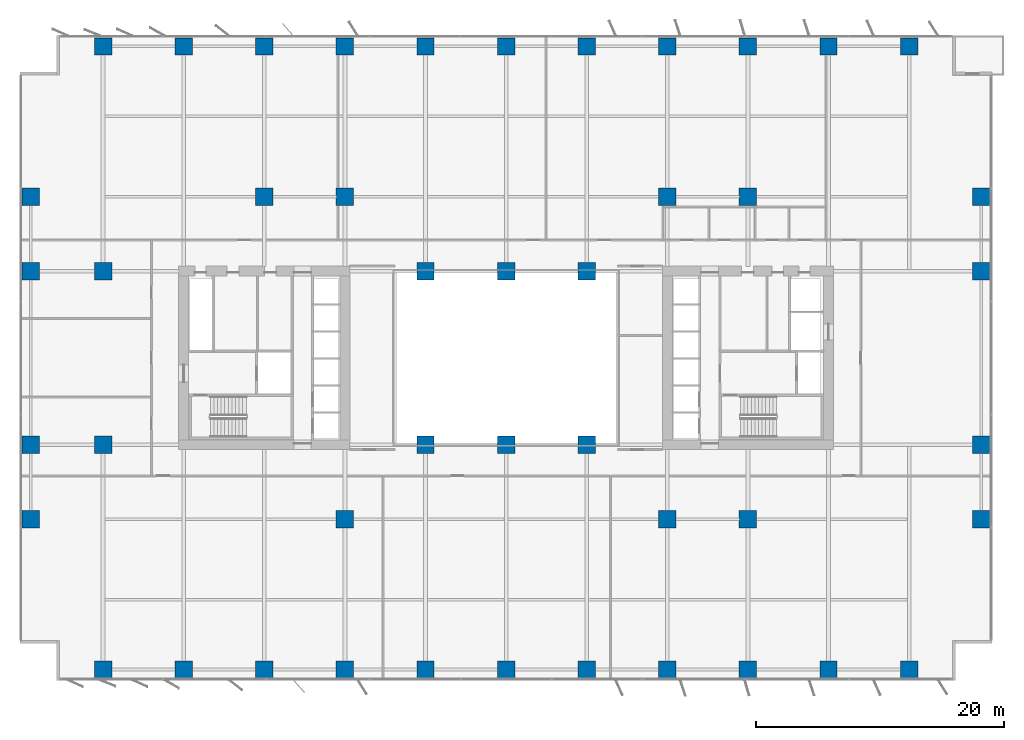
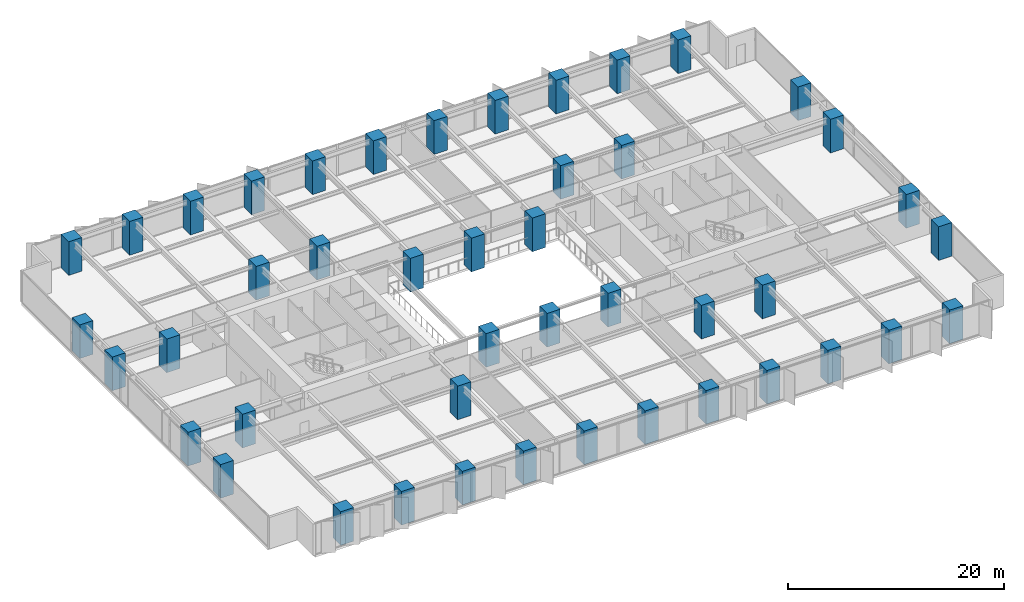
# One storey, part 1 of 20: 45 columns.
"""IFC4 building model written with IfcOpenShell, lengths in metres."""

from ifc_helpers import new_model, si_unit, direction, frame, origin, origin_2d, place, context, subcontext, project, spatial, rectangle, extrude, material, material_profile, profile_set, type_object, element, save


model = new_model("IFC4")

# Units and contexts
model_context = context("Model", 3, precision=1e-05, world=origin(), true_north=direction((0.0, 1.0)))
body_context = subcontext(model_context, "Body", "Model", "MODEL_VIEW")
ifc_project = project(units=[si_unit("LENGTHUNIT", "METRE"), si_unit("AREAUNIT", "SQUARE_METRE"), si_unit("VOLUMEUNIT", "CUBIC_METRE"), si_unit("PLANEANGLEUNIT", "RADIAN"), si_unit("MASSUNIT", "GRAM", prefix="KILO")], contexts=[model_context])

# Site, building, storey
site_placement = place(None, origin())
site = spatial("IfcSite", under=ifc_project, at=site_placement, CompositionType="ELEMENT")
building_placement = place(site_placement, origin())
building = spatial("IfcBuilding", under=site, at=building_placement, Name="Putna Gate Headquarters", CompositionType="ELEMENT")
storey_placement = place(building_placement, frame((0.0, 0.0, 58.199951171875)))
storey = spatial("IfcBuildingStorey", under=building, at=storey_placement, Name="L13", CompositionType="ELEMENT", Elevation=58.199951171875)

# Columns
ifc_material = material(Name="Concrete C60/75", Category="concrete")
ifc_material_profile_1 = material_profile(ifc_material, rectangle(XDim=1.39990234375, YDim=1.39990234375, at=origin_2d()), Name="Concrete C60/75")
ifc_profile_set_1 = profile_set([ifc_material_profile_1], Name="Concrete C60/75")
column_type_1 = type_object("IfcColumnType", Name="COL-RC1400-EXT", PredefinedType="COLUMN", material=ifc_profile_set_1)
for number, where, z_axis, x_axis, name in (
    (1, (6.5, 0.8798828125, 0.0), (0.0, 0.0, 1.0), (1.0, 0.0, 0.0), "L13 Column CP-S6"),
    (2, (6.5, 51.1201171875, 0.0), (0.0, 0.0, 1.0), (1.0, 0.0, 0.0), "L13 Column CP-N6"),
    (3, (13.0, 0.8798828125, 0.0), (0.0, 0.0, 1.0), (1.0, 0.0, 0.0), "L13 Column CP-S13"),
    (4, (13.0, 51.1201171875, 0.0), (0.0, 0.0, 1.0), (1.0, 0.0, 0.0), "L13 Column CP-N13"),
    (5, (19.5, 0.8798828125, 0.0), (0.0, 0.0, 1.0), (1.0, 0.0, 0.0), "L13 Column CP-S19"),
    (6, (19.5, 51.1201171875, 0.0), (0.0, 0.0, 1.0), (1.0, 0.0, 0.0), "L13 Column CP-N19"),
    (7, (26.0, 0.8798828125, 0.0), (0.0, 0.0, 1.0), (1.0, 0.0, 0.0), "L13 Column CP-S26"),
    (8, (26.0, 51.1201171875, 0.0), (0.0, 0.0, 1.0), (1.0, 0.0, 0.0), "L13 Column CP-N26"),
    (9, (32.5, 0.8798828125, 0.0), (0.0, 0.0, 1.0), (1.0, 0.0, 0.0), "L13 Column CP-S32"),
    (10, (32.5, 51.1201171875, 0.0), (0.0, 0.0, 1.0), (1.0, 0.0, 0.0), "L13 Column CP-N32"),
    (11, (39.0, 0.8798828125, 0.0), (0.0, 0.0, 1.0), (1.0, 0.0, 0.0), "L13 Column CP-S39"),
    (12, (39.0, 51.1201171875, 0.0), (0.0, 0.0, 1.0), (1.0, 0.0, 0.0), "L13 Column CP-N39"),
    (13, (45.5, 0.8798828125, 0.0), (0.0, 0.0, 1.0), (1.0, 0.0, 0.0), "L13 Column CP-S45"),
    (14, (45.5, 51.1201171875, 0.0), (0.0, 0.0, 1.0), (1.0, 0.0, 0.0), "L13 Column CP-N45"),
    (15, (52.0, 0.8798828125, 0.0), (0.0, 0.0, 1.0), (1.0, 0.0, 0.0), "L13 Column CP-S52"),
    (16, (52.0, 51.1201171875, 0.0), (0.0, 0.0, 1.0), (1.0, 0.0, 0.0), "L13 Column CP-N52"),
    (17, (58.5, 0.8798828125, 0.0), (0.0, 0.0, 1.0), (1.0, 0.0, 0.0), "L13 Column CP-S58"),
    (18, (58.5, 51.1201171875, 0.0), (0.0, 0.0, 1.0), (1.0, 0.0, 0.0), "L13 Column CP-N58"),
    (19, (65.0, 0.8798828125, 0.0), (0.0, 0.0, 1.0), (1.0, 0.0, 0.0), "L13 Column CP-S65"),
    (20, (65.0, 51.1201171875, 0.0), (0.0, 0.0, 1.0), (1.0, 0.0, 0.0), "L13 Column CP-N65"),
    (21, (71.5, 0.8798828125, 0.0), (0.0, 0.0, 1.0), (1.0, 0.0, 0.0), "L13 Column CP-S71"),
    (22, (71.5, 51.1201171875, 0.0), (0.0, 0.0, 1.0), (1.0, 0.0, 0.0), "L13 Column CP-N71"),
    (23, (0.679931640625, 13.0, 0.0), (0.0, 0.0, 1.0), (1.0, 0.0, 0.0), "L13 Column CP-W13"),
    (24, (77.320068359375, 13.0, 0.0), (0.0, 0.0, 1.0), (1.0, 0.0, 0.0), "L13 Column CP-E13"),
    (25, (0.679931640625, 19.0, 0.0), (0.0, 0.0, 1.0), (1.0, 0.0, 0.0), "L13 Column CP-W19"),
    (26, (77.320068359375, 19.0, 0.0), (0.0, 0.0, 1.0), (1.0, 0.0, 0.0), "L13 Column CP-E19"),
    (27, (0.679931640625, 33.0, 0.0), (0.0, 0.0, 1.0), (1.0, 0.0, 0.0), "L13 Column CP-W33"),
    (28, (77.320068359375, 33.0, 0.0), (0.0, 0.0, 1.0), (1.0, 0.0, 0.0), "L13 Column CP-E33"),
    (29, (0.679931640625, 39.0, 0.0), (0.0, 0.0, 1.0), (1.0, 0.0, 0.0), "L13 Column CP-W39"),
    (30, (77.320068359375, 39.0, 0.0), (0.0, 0.0, 1.0), (1.0, 0.0, 0.0), "L13 Column CP-E39"),
):
    element("IfcColumn", number, at=place(storey_placement, frame(where, z_axis=z_axis, x_axis=x_axis)), inside=storey, type_object=column_type_1, Name=name, PredefinedType="COLUMN", context=body_context, shape_type="SweptSolid", body=[
        extrude(rectangle(XDim=1.39990234375, YDim=1.39990234375, at=origin_2d()), origin(), (0.0, 0.0, 1.0), 3.800048828125),
    ])
ifc_material_profile_2 = material_profile(ifc_material, rectangle(XDim=1.39990234375, YDim=1.39990234375, at=origin_2d()), Name="Concrete C60/75")
ifc_profile_set_2 = profile_set([ifc_material_profile_2], Name="Concrete C60/75")
column_type_2 = type_object("IfcColumnType", Name="COL-RC1400-INT", PredefinedType="COLUMN", material=ifc_profile_set_2)
for number, where, z_axis, x_axis, name in (
    (31, (19.5, 39.0, 0.0), (0.0, 0.0, 1.0), (1.0, 0.0, 0.0), "L13 Column CSI-WN"),
    (32, (58.5, 13.0, 0.0), (0.0, 0.0, 1.0), (1.0, 0.0, 0.0), "L13 Column CSI-ES"),
    (33, (58.5, 39.0, 0.0), (0.0, 0.0, 1.0), (1.0, 0.0, 0.0), "L13 Column CSI-EN"),
    (34, (6.5, 19.0, 0.0), (0.0, 0.0, 1.0), (1.0, 0.0, 0.0), "L13 Column CSI-WM"),
    (35, (6.5, 33.0, 0.0), (0.0, 0.0, 1.0), (1.0, 0.0, 0.0), "L13 Column CSI-WNW"),
    (36, (32.5, 19.0, 0.0), (0.0, 0.0, 1.0), (1.0, 0.0, 0.0), "L13 Column CAI-S32"),
    (37, (32.5, 33.0, 0.0), (0.0, 0.0, 1.0), (1.0, 0.0, 0.0), "L13 Column CAI-N32"),
    (38, (39.0, 19.0, 0.0), (0.0, 0.0, 1.0), (1.0, 0.0, 0.0), "L13 Column CAI-S39"),
    (39, (39.0, 33.0, 0.0), (0.0, 0.0, 1.0), (1.0, 0.0, 0.0), "L13 Column CAI-N39"),
    (40, (45.5, 19.0, 0.0), (0.0, 0.0, 1.0), (1.0, 0.0, 0.0), "L13 Column CAI-S45"),
    (41, (45.5, 33.0, 0.0), (0.0, 0.0, 1.0), (1.0, 0.0, 0.0), "L13 Column CAI-N45"),
    (42, (26.0, 13.0, 0.0), (0.0, 0.0, 1.0), (1.0, 0.0, 0.0), "L13 Column CAP-WS"),
    (43, (26.0, 39.0, 0.0), (0.0, 0.0, 1.0), (1.0, 0.0, 0.0), "L13 Column CAP-WN"),
    (44, (52.0, 13.0, 0.0), (0.0, 0.0, 1.0), (1.0, 0.0, 0.0), "L13 Column CAP-ES"),
    (45, (52.0, 39.0, 0.0), (0.0, 0.0, 1.0), (1.0, 0.0, 0.0), "L13 Column CAP-EN"),
):
    element("IfcColumn", number, at=place(storey_placement, frame(where, z_axis=z_axis, x_axis=x_axis)), inside=storey, type_object=column_type_2, Name=name, PredefinedType="COLUMN", context=body_context, shape_type="SweptSolid", body=[
        extrude(rectangle(XDim=1.39990234375, YDim=1.39990234375, at=origin_2d()), origin(), (0.0, 0.0, 1.0), 3.800048828125),
    ])

save(model, "model.ifc")
